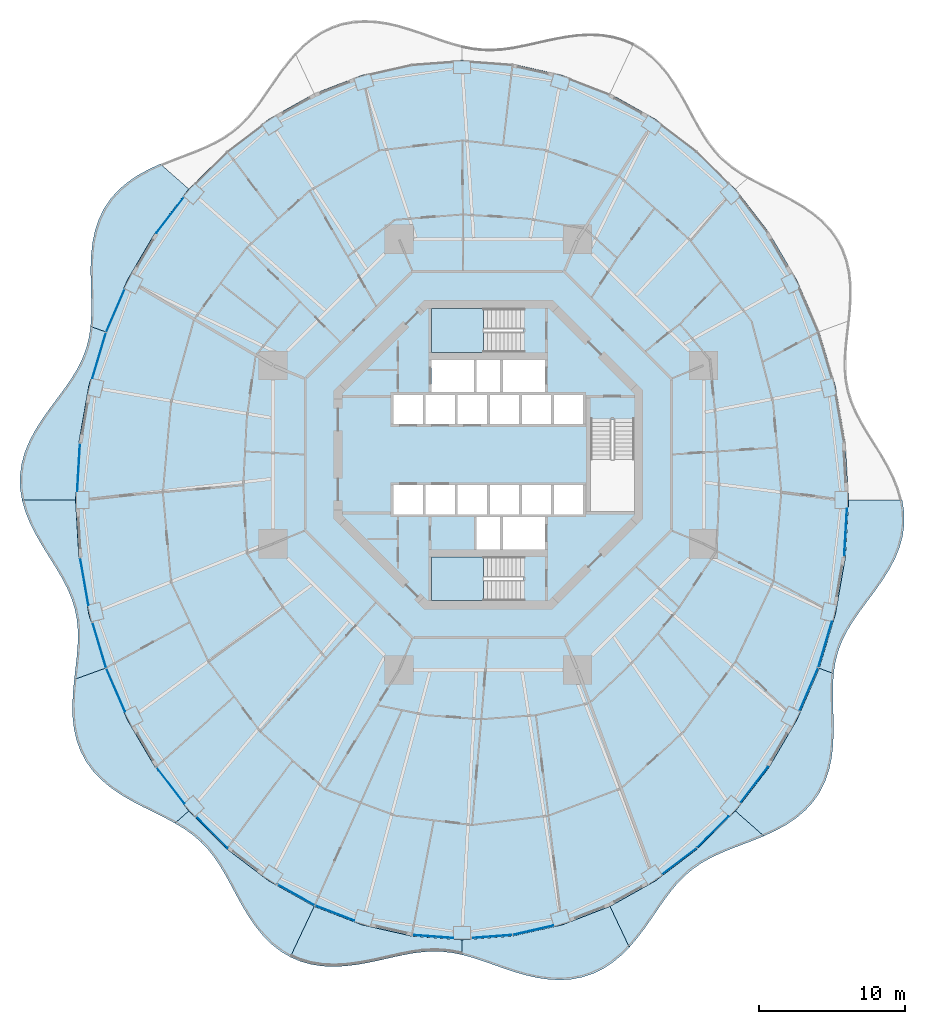
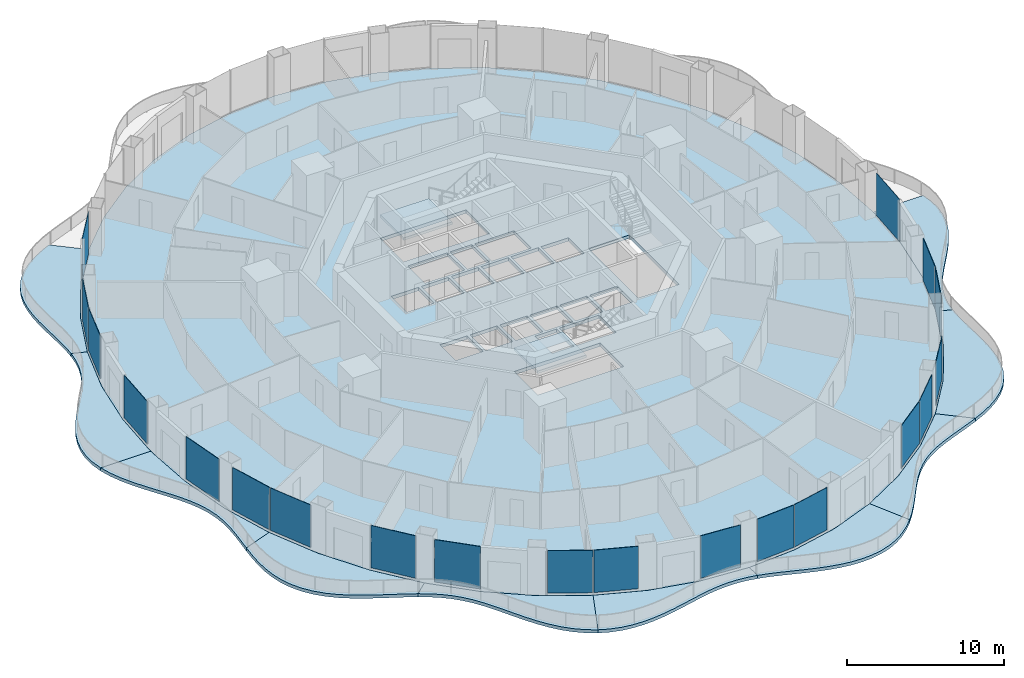
# One storey, part 9 of 19: 20 plates, 13 slabs, 22 elements without a shape of their own.
"""IFC4 building model written with IfcOpenShell, lengths in metres."""

from ifc_helpers import new_model, si_unit, direction, frame, origin, origin_2d, place, context, subcontext, project, spatial, polyline, rectangle, outline, extrude, material, layer, layer_set, type_object, element, aggregate, save


model = new_model("IFC4")

# Units and contexts
model_context = context("Model", 3, precision=1e-05, world=origin(), true_north=direction((0.0, 1.0)))
body_context = subcontext(model_context, "Body", "Model", "MODEL_VIEW")
ifc_project = project(units=[si_unit("LENGTHUNIT", "METRE"), si_unit("AREAUNIT", "SQUARE_METRE"), si_unit("VOLUMEUNIT", "CUBIC_METRE"), si_unit("PLANEANGLEUNIT", "RADIAN"), si_unit("MASSUNIT", "GRAM", prefix="KILO")], contexts=[model_context])

# Site, building, storey
site_placement = place(None, origin())
site = spatial("IfcSite", under=ifc_project, at=site_placement, CompositionType="ELEMENT")
building_placement = place(site_placement, origin())
building = spatial("IfcBuilding", under=site, at=building_placement, Name="Nagisa Residences", CompositionType="ELEMENT")
storey_placement = place(building_placement, frame((0.0, 0.0, 127.0)))
storey = spatial("IfcBuildingStorey", under=building, at=storey_placement, Name="L31", CompositionType="ELEMENT", Elevation=127.0)

# Slabs
ifc_material_1 = material(Name="Concrete C40/50", Category="concrete")
ifc_layer_1 = layer(ifc_material_1, 0.25)
ifc_layer_set_1 = layer_set([ifc_layer_1], Name="BALCONY SLAB 250")
slab_type_1 = type_object("IfcSlabType", Name="BALCONY SLAB 250", PredefinedType="FLOOR", material=ifc_layer_set_1)
slab_1_placement = place(storey_placement, frame((0.0, 0.0, -0.25)))
element("IfcSlab", 1, at=slab_1_placement, inside=storey, type_object=slab_type_1, Name="slab:L31:bal06", PredefinedType="FLOOR", context=body_context, shape_type="SweptSolid", body=[
    extrude(outline(polyline([(-22.51513671875, 19.948974609375), (-23.29833984375, 19.5888671875), (-24.04736328125, 19.179443359375), (-24.743896484375, 18.710693359375), (-25.37109375, 18.177001953125), (-25.91552734375, 17.576416015625), (-26.368408203125, 16.91064453125), (-26.724853515625, 16.18603515625), (-26.98681640625, 15.41064453125), (-27.160400390625, 14.59619140625), (-27.2578125, 13.7548828125), (-27.294921875, 12.89990234375), (-27.291259765625, 12.043701171875), (-27.268310546875, 11.197509765625), (-27.248779296875, 10.3701171875), (-27.25341796875, 9.568603515625), (-27.301513671875, 8.79638671875), (-26.315185546875, 8.4375), (-24.780029296875, 11.979736328125), (-22.8515625, 15.263916015625), (-20.56298828125, 18.2333984375), (-22.51513671875, 19.948974609375)])), origin(), (0.0, 0.0, 1.0), 0.25),
])
slab_2_placement = place(storey_placement, frame((0.0, 0.0, -0.25)))
element("IfcSlab", 2, at=slab_2_placement, inside=storey, type_object=slab_type_1, Name="slab:L31:bal07", PredefinedType="FLOOR", context=body_context, shape_type="SweptSolid", body=[
    extrude(outline(polyline([(-27.301513671875, 8.79638671875), (-27.4130859375, 8.031494140625), (-27.598876953125, 7.29638671875), (-27.864501953125, 6.58642578125), (-28.208251953125, 5.89501953125), (-28.62255859375, 5.213623046875), (-29.093017578125, 4.53369140625), (-29.599853515625, 3.84716796875), (-30.1201171875, 3.14697265625), (-30.6279296875, 2.427734375), (-31.097412109375, 1.6865234375), (-31.50341796875, 0.922607421875), (-31.824462890625, 0.137451171875), (-32.04345703125, -0.6650390625), (-32.149169921875, -1.479248046875), (-32.136962890625, -2.299072265625), (-32.009521484375, -3.11767578125), (-28.3349609375, -3.11767578125), (-28.10791015625, 0.823486328125), (-27.430908203125, 4.697265625), (-26.315185546875, 8.4375), (-27.301513671875, 8.79638671875)])), origin(), (0.0, 0.0, 1.0), 0.25),
])
slab_3_placement = place(storey_placement, frame((0.0, 0.0, -0.25)))
element("IfcSlab", 3, at=slab_3_placement, inside=storey, type_object=slab_type_1, Name="slab:L31:bal08", PredefinedType="FLOOR", context=body_context, shape_type="SweptSolid", body=[
    extrude(outline(polyline([(-32.009521484375, -3.11767578125), (-31.775634765625, -3.928466796875), (-31.451171875, -4.72607421875), (-31.056396484375, -5.5068359375), (-30.61572265625, -6.268798828125), (-30.155029296875, -7.012451171875), (-29.700927734375, -7.74072265625), (-29.27734375, -8.4580078125), (-28.906005859375, -9.1708984375), (-28.602783203125, -9.886474609375), (-28.3779296875, -10.6123046875), (-28.235107421875, -11.35498046875), (-28.1708984375, -12.120361328125), (-28.175537109375, -12.912109375), (-28.233154296875, -13.73095703125), (-28.323486328125, -14.5751953125), (-28.422607421875, -15.43994140625), (-26.315185546875, -14.6728515625), (-27.430908203125, -10.9326171875), (-28.10791015625, -7.058837890625), (-28.3349609375, -3.11767578125), (-32.009521484375, -3.11767578125)])), origin(), (0.0, 0.0, 1.0), 0.25),
])
slab_4_placement = place(storey_placement, frame((0.0, 0.0, -0.25)))
element("IfcSlab", 4, at=slab_4_placement, inside=storey, type_object=slab_type_1, Name="slab:L31:bal09", PredefinedType="FLOOR", context=body_context, shape_type="SweptSolid", body=[
    extrude(outline(polyline([(-28.422607421875, -15.43994140625), (-28.50390625, -16.29052734375), (-28.547607421875, -17.144287109375), (-28.532958984375, -17.990478515625), (-28.442138671875, -18.81787109375), (-28.26220703125, -19.614990234375), (-27.984619140625, -20.37158203125), (-27.606689453125, -21.078857421875), (-27.13134765625, -21.73046875), (-26.566650390625, -22.32373046875), (-25.92578125, -22.85888671875), (-25.225341796875, -23.34033203125), (-24.484619140625, -23.775390625), (-23.723876953125, -24.175048828125), (-22.962890625, -24.552734375), (-22.22021484375, -24.92333984375), (-21.51171875, -25.302490234375), (-20.56298828125, -24.46875), (-22.8515625, -21.499267578125), (-24.780029296875, -18.215087890625), (-26.315185546875, -14.6728515625), (-28.422607421875, -15.43994140625)])), origin(), (0.0, 0.0, 1.0), 0.25),
])
slab_5_placement = place(storey_placement, frame((0.0, 0.0, -0.25)))
element("IfcSlab", 5, at=slab_5_placement, inside=storey, type_object=slab_type_1, Name="slab:L31:bal10", PredefinedType="FLOOR", context=body_context, shape_type="SweptSolid", body=[
    extrude(outline(polyline([(-21.51171875, -25.302490234375), (-20.878662109375, -25.685302734375), (-20.29345703125, -26.101318359375), (-19.75830078125, -26.5595703125), (-19.27197265625, -27.066162109375), (-18.828369140625, -27.6240234375), (-18.4189453125, -28.231689453125), (-18.0322265625, -28.88427734375), (-17.655517578125, -29.572509765625), (-17.27490234375, -30.283935546875), (-16.876708984375, -31.002685546875), (-16.44873046875, -31.71142578125), (-15.980224609375, -32.39208984375), (-15.463623046875, -33.026123046875), (-14.894287109375, -33.596923828125), (-14.2705078125, -34.08984375), (-13.594482421875, -34.493896484375), (-11.95458984375, -31.01416015625), (-15.0673828125, -29.267333984375), (-17.953369140625, -27.072998046875), (-20.56298828125, -24.46875), (-21.51171875, -25.302490234375)])), origin(), (0.0, 0.0, 1.0), 0.25),
])
slab_6_placement = place(storey_placement, frame((0.0, 0.0, -0.25)))
element("IfcSlab", 6, at=slab_6_placement, inside=storey, type_object=slab_type_1, Name="slab:L31:bal11", PredefinedType="FLOOR", context=body_context, shape_type="SweptSolid", body=[
    extrude(outline(polyline([(-13.594482421875, -34.493896484375), (-12.89794921875, -34.792236328125), (-12.16357421875, -34.99951171875), (-11.39990234375, -35.1171875), (-10.615966796875, -35.15234375), (-9.821044921875, -35.1142578125), (-9.0244140625, -35.01708984375), (-8.23388671875, -34.876708984375), (-7.4560546875, -34.711181640625), (-6.695556640625, -34.538330078125), (-5.954345703125, -34.37646484375), (-5.233154296875, -34.2421875), (-4.529541015625, -34.149169921875), (-3.83984375, -34.10791015625), (-3.1591796875, -34.125), (-2.481201171875, -34.20263671875), (-1.800048828125, -34.33837890625), (-1.800048828125, -33.312744140625), (-5.263427734375, -33.054443359375), (-8.667724609375, -32.283935546875), (-11.95458984375, -31.01416015625), (-13.594482421875, -34.493896484375)])), origin(), (0.0, 0.0, 1.0), 0.25),
])
slab_7_placement = place(storey_placement, frame((0.0, 0.0, -0.25)))
element("IfcSlab", 7, at=slab_7_placement, inside=storey, type_object=slab_type_1, Name="slab:L31:bal12", PredefinedType="FLOOR", context=body_context, shape_type="SweptSolid", body=[
    extrude(outline(polyline([(-1.800048828125, -34.33837890625), (-1.109619140625, -34.52490234375), (-0.405517578125, -34.751953125), (0.315673828125, -35.00439453125), (1.0556640625, -35.26611328125), (1.8134765625, -35.51806640625), (2.586181640625, -35.741455078125), (3.36962890625, -35.918212890625), (4.15673828125, -36.03173828125), (4.93994140625, -36.068359375), (5.710693359375, -36.017333984375), (6.460693359375, -35.872802734375), (7.18212890625, -35.63232421875), (7.868408203125, -35.298828125), (8.514404296875, -34.87841796875), (9.11767578125, -34.3818359375), (9.67822265625, -33.822509765625), (8.3544921875, -31.01416015625), (5.06787109375, -32.283935546875), (1.66357421875, -33.054443359375), (-1.800048828125, -33.312744140625), (-1.800048828125, -34.33837890625)])), origin(), (0.0, 0.0, 1.0), 0.25),
])
slab_8_placement = place(storey_placement, frame((0.0, 0.0, -0.25)))
element("IfcSlab", 8, at=slab_8_placement, inside=storey, type_object=slab_type_1, Name="slab:L31:bal13", PredefinedType="FLOOR", context=body_context, shape_type="SweptSolid", body=[
    extrude(outline(polyline([(9.67822265625, -33.822509765625), (10.217529296875, -33.192626953125), (10.71923828125, -32.531494140625), (11.1923828125, -31.8583984375), (11.647216796875, -31.192138671875), (12.095703125, -30.549072265625), (12.550537109375, -29.943115234375), (13.0234375, -29.38427734375), (13.525390625, -28.878662109375), (14.064697265625, -28.427978515625), (14.647216796875, -28.029541015625), (15.275390625, -27.6767578125), (15.947265625, -27.35986328125), (16.65771484375, -27.066650390625), (17.397705078125, -26.78271484375), (18.155029296875, -26.493408203125), (18.915283203125, -26.184326171875), (16.963134765625, -24.46875), (14.353515625, -27.072998046875), (11.467529296875, -29.267333984375), (8.3544921875, -31.01416015625), (9.67822265625, -33.822509765625)])), origin(), (0.0, 0.0, 1.0), 0.25),
])
slab_9_placement = place(storey_placement, frame((0.0, 0.0, -0.25)))
element("IfcSlab", 9, at=slab_9_placement, inside=storey, type_object=slab_type_1, Name="slab:L31:bal14", PredefinedType="FLOOR", context=body_context, shape_type="SweptSolid", body=[
    extrude(outline(polyline([(18.915283203125, -26.184326171875), (19.6982421875, -25.82421875), (20.447265625, -25.414794921875), (21.143798828125, -24.946044921875), (21.77099609375, -24.412353515625), (22.315673828125, -23.811767578125), (22.768310546875, -23.146240234375), (23.125, -22.42138671875), (23.38671875, -21.64599609375), (23.560546875, -20.83154296875), (23.65771484375, -19.990478515625), (23.69482421875, -19.13525390625), (23.691162109375, -18.279052734375), (23.66845703125, -17.432861328125), (23.648681640625, -16.60546875), (23.6533203125, -15.803955078125), (23.701416015625, -15.031982421875), (22.715087890625, -14.6728515625), (21.179931640625, -18.215087890625), (19.251708984375, -21.499267578125), (16.963134765625, -24.46875), (18.915283203125, -26.184326171875)])), origin(), (0.0, 0.0, 1.0), 0.25),
])
slab_10_placement = place(storey_placement, frame((0.0, 0.0, -0.25)))
element("IfcSlab", 10, at=slab_10_placement, inside=storey, type_object=slab_type_1, Name="slab:L31:bal15", PredefinedType="FLOOR", context=body_context, shape_type="SweptSolid", body=[
    extrude(outline(polyline([(23.701416015625, -15.031982421875), (23.81298828125, -14.266845703125), (23.9990234375, -13.53173828125), (24.264404296875, -12.82177734375), (24.6083984375, -12.13037109375), (25.0224609375, -11.448974609375), (25.492919921875, -10.76904296875), (25.999755859375, -10.08251953125), (26.52001953125, -9.38232421875), (27.028076171875, -8.6630859375), (27.497314453125, -7.921875), (27.903564453125, -7.157958984375), (28.224609375, -6.372802734375), (28.443359375, -5.5703125), (28.549072265625, -4.756103515625), (28.537109375, -3.936279296875), (28.409423828125, -3.11767578125), (24.735107421875, -3.11767578125), (24.508056640625, -7.058837890625), (23.830810546875, -10.9326171875), (22.715087890625, -14.6728515625), (23.701416015625, -15.031982421875)])), origin(), (0.0, 0.0, 1.0), 0.25),
])

# Curtain wall, plate
ifc_material_2 = material(Name="Concrete-coloured aluminium curtain wall system", Category="concrete")
ifc_layer_2 = layer(ifc_material_2, 0.159912109375)
ifc_layer_set_2 = layer_set([ifc_layer_2], Name="CW1 CURTAIN WALL")
curtain_wall_type = type_object("IfcCurtainWallType", Name="CW1 CURTAIN WALL", PredefinedType="NOTDEFINED", material=ifc_layer_set_2)
curtain_wall_1_placement = place(storey_placement, origin())
curtain_wall_1 = element("IfcCurtainWall", 11, at=curtain_wall_1_placement, inside=storey, type_object=curtain_wall_type, Name="cw:CW1:L31:18", PredefinedType="NOTDEFINED")
ifc_material_3 = material(Name="Clear laminated glass", Category="glass")
ifc_layer_3 = layer(ifc_material_3, 0.028076171875)
ifc_layer_set_3 = layer_set([ifc_layer_3], Name="CW1 GLASS PANEL")
plate_type = type_object("IfcPlateType", Name="CW1 GLASS PANEL", PredefinedType="CURTAIN_PANEL", material=ifc_layer_set_3)
plate_1_placement = place(storey_placement, frame((-21.845458984375, 16.4384765625, 0.14990234375), z_axis=(0.0, 0.0, 1.0), x_axis=(-0.610429828235, -0.792070340816, 0.0)))
plate_1 = element("IfcPlate", 12, at=plate_1_placement, type_object=plate_type, Name="CW1 panel", PredefinedType="CURTAIN_PANEL", context=body_context, shape_type="SweptSolid", body=[
    extrude(rectangle(XDim=3.089111328125, YDim=0.028076171875, at=origin_2d()), origin(), (0.0, 0.0, 1.0), 3.2900390625),
])
aggregate(curtain_wall_1, [plate_1])

curtain_wall_2_placement = place(storey_placement, origin())
curtain_wall_2 = element("IfcCurtainWall", 13, at=curtain_wall_2_placement, inside=storey, type_object=curtain_wall_type, Name="cw:CW1:L31:20", PredefinedType="NOTDEFINED")
plate_2_placement = place(storey_placement, frame((-25.60546875, 9.8740234375, 0.14990234375), z_axis=(0.0, 0.0, 1.0), x_axis=(-0.397635934147, -0.917543276295, 0.0)))
plate_2 = element("IfcPlate", 14, at=plate_2_placement, type_object=plate_type, Name="CW1 panel", PredefinedType="CURTAIN_PANEL", context=body_context, shape_type="SweptSolid", body=[
    extrude(rectangle(XDim=3.20068359375, YDim=0.028076171875, at=origin_2d()), origin(), (0.0, 0.0, 1.0), 3.2900390625),
])
aggregate(curtain_wall_2, [plate_2])

curtain_wall_3_placement = place(storey_placement, origin())
curtain_wall_3 = element("IfcCurtainWall", 15, at=curtain_wall_3_placement, inside=storey, type_object=curtain_wall_type, Name="cw:CW1:L31:21", PredefinedType="NOTDEFINED")
plate_3_placement = place(storey_placement, frame((-26.71923828125, 6.80322265625, 0.14990234375), z_axis=(0.0, 0.0, 1.0), x_axis=(-0.285860274038, -0.958271310082, 0.0)))
plate_3 = element("IfcPlate", 16, at=plate_3_placement, type_object=plate_type, Name="CW1 panel", PredefinedType="CURTAIN_PANEL", context=body_context, shape_type="SweptSolid", body=[
    extrude(rectangle(XDim=3.242919921875, YDim=0.028076171875, at=origin_2d()), origin(), (0.0, 0.0, 1.0), 3.2900390625),
])
aggregate(curtain_wall_3, [plate_3])

curtain_wall_4_placement = place(storey_placement, origin())
curtain_wall_4 = element("IfcCurtainWall", 17, at=curtain_wall_4_placement, inside=storey, type_object=curtain_wall_type, Name="cw:CW1:L31:23", PredefinedType="NOTDEFINED")
plate_4_placement = place(storey_placement, frame((-28.126220703125, -0.882080078125, 0.14990234375), z_axis=(0.0, 0.0, 1.0), x_axis=(-0.057503492216, -0.998345305184, 0.0)))
plate_4 = element("IfcPlate", 18, at=plate_4_placement, type_object=plate_type, Name="CW1 panel", PredefinedType="CURTAIN_PANEL", context=body_context, shape_type="SweptSolid", body=[
    extrude(rectangle(XDim=3.287841796875, YDim=0.028076171875, at=origin_2d()), origin(), (0.0, 0.0, 1.0), 3.2900390625),
])
aggregate(curtain_wall_4, [plate_4])

curtain_wall_5_placement = place(storey_placement, origin())
curtain_wall_5 = element("IfcCurtainWall", 19, at=curtain_wall_5_placement, inside=storey, type_object=curtain_wall_type, Name="cw:CW1:L31:25", PredefinedType="NOTDEFINED")
plate_5_placement = place(storey_placement, frame((-27.737060546875, -8.716064453125, 0.14990234375), z_axis=(0.0, 0.0, 1.0), x_axis=(0.172190868898, -0.985063604377, 0.0)))
plate_5 = element("IfcPlate", 20, at=plate_5_placement, type_object=plate_type, Name="CW1 panel", PredefinedType="CURTAIN_PANEL", context=body_context, shape_type="SweptSolid", body=[
    extrude(rectangle(XDim=3.2724609375, YDim=0.028076171875, at=origin_2d()), origin(), (0.0, 0.0, 1.0), 3.2900390625),
])
aggregate(curtain_wall_5, [plate_5])

curtain_wall_6_placement = place(storey_placement, origin())
curtain_wall_6 = element("IfcCurtainWall", 21, at=curtain_wall_6_placement, inside=storey, type_object=curtain_wall_type, Name="cw:CW1:L31:26", PredefinedType="NOTDEFINED")
plate_6_placement = place(storey_placement, frame((-26.701904296875, -13.09619140625, 0.14990234375), z_axis=(0.0, 0.0, 1.0), x_axis=(0.285860274038, -0.958271310082, 0.0)))
plate_6 = element("IfcPlate", 22, at=plate_6_placement, type_object=plate_type, Name="CW1 panel", PredefinedType="CURTAIN_PANEL", context=body_context, shape_type="SweptSolid", body=[
    extrude(rectangle(XDim=3.242919921875, YDim=0.028076171875, at=origin_2d()), origin(), (0.0, 0.0, 1.0), 3.2900390625),
])
aggregate(curtain_wall_6, [plate_6])

curtain_wall_7_placement = place(storey_placement, origin())
curtain_wall_7 = element("IfcCurtainWall", 23, at=curtain_wall_7_placement, inside=storey, type_object=curtain_wall_type, Name="cw:CW1:L31:27", PredefinedType="NOTDEFINED")
plate_7_placement = place(storey_placement, frame((-25.58154296875, -16.16455078125, 0.14990234375), z_axis=(0.0, 0.0, 1.0), x_axis=(0.397635934147, -0.917543276295, 0.0)))
plate_7 = element("IfcPlate", 24, at=plate_7_placement, type_object=plate_type, Name="CW1 panel", PredefinedType="CURTAIN_PANEL", context=body_context, shape_type="SweptSolid", body=[
    extrude(rectangle(XDim=3.20068359375, YDim=0.028076171875, at=origin_2d()), origin(), (0.0, 0.0, 1.0), 3.2900390625),
])
aggregate(curtain_wall_7, [plate_7])

curtain_wall_8_placement = place(storey_placement, origin())
curtain_wall_8 = element("IfcCurtainWall", 25, at=curtain_wall_8_placement, inside=storey, type_object=curtain_wall_type, Name="cw:CW1:L31:29", PredefinedType="NOTDEFINED")
plate_8_placement = place(storey_placement, frame((-21.808837890625, -22.721435546875, 0.14990234375), z_axis=(0.0, 0.0, 1.0), x_axis=(0.610429828235, -0.792070340816, 0.0)))
plate_8 = element("IfcPlate", 26, at=plate_8_placement, type_object=plate_type, Name="CW1 panel", PredefinedType="CURTAIN_PANEL", context=body_context, shape_type="SweptSolid", body=[
    extrude(rectangle(XDim=3.089111328125, YDim=0.028076171875, at=origin_2d()), origin(), (0.0, 0.0, 1.0), 3.2900390625),
])
aggregate(curtain_wall_8, [plate_8])

curtain_wall_9_placement = place(storey_placement, origin())
curtain_wall_9 = element("IfcCurtainWall", 27, at=curtain_wall_9_placement, inside=storey, type_object=curtain_wall_type, Name="cw:CW1:L31:30", PredefinedType="NOTDEFINED")
plate_9_placement = place(storey_placement, frame((-18.96826171875, -25.947265625, 0.14990234375), z_axis=(0.0, 0.0, 1.0), x_axis=(0.707835924016, -0.706376885714, 0.0)))
plate_9 = element("IfcPlate", 28, at=plate_9_placement, type_object=plate_type, Name="CW1 panel", PredefinedType="CURTAIN_PANEL", context=body_context, shape_type="SweptSolid", body=[
    extrude(rectangle(XDim=3.026611328125, YDim=0.028076171875, at=origin_2d()), origin(), (0.0, 0.0, 1.0), 3.2900390625),
])
aggregate(curtain_wall_9, [plate_9])

curtain_wall_10_placement = place(storey_placement, origin())
curtain_wall_10 = element("IfcCurtainWall", 29, at=curtain_wall_10_placement, inside=storey, type_object=curtain_wall_type, Name="cw:CW1:L31:32", PredefinedType="NOTDEFINED")
plate_10_placement = place(storey_placement, frame((-13.18408203125, -30.232421875, 0.14990234375), z_axis=(0.0, 0.0, 1.0), x_axis=(0.872072377523, -0.489376918501, 0.0)))
plate_10 = element("IfcPlate", 30, at=plate_10_placement, type_object=plate_type, Name="CW1 panel", PredefinedType="CURTAIN_PANEL", context=body_context, shape_type="SweptSolid", body=[
    extrude(rectangle(XDim=2.90966796875, YDim=0.028076171875, at=origin_2d()), origin(), (0.0, 0.0, 1.0), 3.2900390625),
])
aggregate(curtain_wall_10, [plate_10])

curtain_wall_11_placement = place(storey_placement, origin())
curtain_wall_11 = element("IfcCurtainWall", 31, at=curtain_wall_11_placement, inside=storey, type_object=curtain_wall_type, Name="cw:CW1:L31:33", PredefinedType="NOTDEFINED")
plate_11_placement = place(storey_placement, frame((-10.5341796875, -31.47705078125, 0.14990234375), z_axis=(0.0, 0.0, 1.0), x_axis=(0.932825759707, -0.360327770268, 0.0)))
plate_11 = element("IfcPlate", 32, at=plate_11_placement, type_object=plate_type, Name="CW1 panel", PredefinedType="CURTAIN_PANEL", context=body_context, shape_type="SweptSolid", body=[
    extrude(rectangle(XDim=2.863525390625, YDim=0.028076171875, at=origin_2d()), origin(), (0.0, 0.0, 1.0), 3.2900390625),
])
aggregate(curtain_wall_11, [plate_11])

curtain_wall_12_placement = place(storey_placement, origin())
curtain_wall_12 = element("IfcCurtainWall", 33, at=curtain_wall_12_placement, inside=storey, type_object=curtain_wall_type, Name="cw:CW1:L31:35", PredefinedType="NOTDEFINED")
plate_12_placement = place(storey_placement, frame((-3.795166015625, -33.083740234375, 0.14990234375), z_axis=(0.0, 0.0, 1.0), x_axis=(0.997230168512, -0.074377355493, 0.0)))
plate_12 = element("IfcPlate", 34, at=plate_12_placement, type_object=plate_type, Name="CW1 panel", PredefinedType="CURTAIN_PANEL", context=body_context, shape_type="SweptSolid", body=[
    extrude(rectangle(XDim=2.813232421875, YDim=0.028076171875, at=origin_2d()), origin(), (0.0, 0.0, 1.0), 3.2900390625),
])
aggregate(curtain_wall_12, [plate_12])

curtain_wall_13_placement = place(storey_placement, origin())
curtain_wall_13 = element("IfcCurtainWall", 35, at=curtain_wall_13_placement, inside=storey, type_object=curtain_wall_type, Name="cw:CW1:L31:36", PredefinedType="NOTDEFINED")
plate_13_placement = place(storey_placement, frame((0.2548828125, -33.0791015625, 0.14990234375), z_axis=(0.0, 0.0, 1.0), x_axis=(0.997230168512, 0.074377355493, 0.0)))
plate_13 = element("IfcPlate", 36, at=plate_13_placement, type_object=plate_type, Name="CW1 panel", PredefinedType="CURTAIN_PANEL", context=body_context, shape_type="SweptSolid", body=[
    extrude(rectangle(XDim=2.813232421875, YDim=0.028076171875, at=origin_2d()), origin(), (0.0, 0.0, 1.0), 3.2900390625),
])
aggregate(curtain_wall_13, [plate_13])

curtain_wall_14_placement = place(storey_placement, origin())
curtain_wall_14 = element("IfcCurtainWall", 37, at=curtain_wall_14_placement, inside=storey, type_object=curtain_wall_type, Name="cw:CW1:L31:37", PredefinedType="NOTDEFINED")
plate_14_placement = place(storey_placement, frame((3.084716796875, -32.650634765625, 0.14990234375), z_axis=(0.0, 0.0, 1.0), x_axis=(0.975327274089, 0.2207639201, 0.0)))
plate_14 = element("IfcPlate", 38, at=plate_14_placement, type_object=plate_type, Name="CW1 panel", PredefinedType="CURTAIN_PANEL", context=body_context, shape_type="SweptSolid", body=[
    extrude(rectangle(XDim=2.830322265625, YDim=0.028076171875, at=origin_2d()), origin(), (0.0, 0.0, 1.0), 3.2900390625),
])
aggregate(curtain_wall_14, [plate_14])

curtain_wall_15_placement = place(storey_placement, origin())
curtain_wall_15 = element("IfcCurtainWall", 39, at=curtain_wall_15_placement, inside=storey, type_object=curtain_wall_type, Name="cw:CW1:L31:40", PredefinedType="NOTDEFINED")
plate_15_placement = place(storey_placement, frame((13.124755859375, -27.90673828125, 0.14990234375), z_axis=(0.0, 0.0, 1.0), x_axis=(0.79603132756, 0.605255421737, 0.0)))
plate_15 = element("IfcPlate", 40, at=plate_15_placement, type_object=plate_type, Name="CW1 panel", PredefinedType="CURTAIN_PANEL", context=body_context, shape_type="SweptSolid", body=[
    extrude(rectangle(XDim=2.965576171875, YDim=0.028076171875, at=origin_2d()), origin(), (0.0, 0.0, 1.0), 3.2900390625),
])
aggregate(curtain_wall_15, [plate_15])

curtain_wall_16_placement = place(storey_placement, origin())
curtain_wall_16 = element("IfcCurtainWall", 41, at=curtain_wall_16_placement, inside=storey, type_object=curtain_wall_type, Name="cw:CW1:L31:41", PredefinedType="NOTDEFINED")
plate_16_placement = place(storey_placement, frame((15.41064453125, -25.905029296875, 0.14990234375), z_axis=(0.0, 0.0, 1.0), x_axis=(0.707835924016, 0.706376885714, 0.0)))
plate_16 = element("IfcPlate", 42, at=plate_16_placement, type_object=plate_type, Name="CW1 panel", PredefinedType="CURTAIN_PANEL", context=body_context, shape_type="SweptSolid", body=[
    extrude(rectangle(XDim=3.026611328125, YDim=0.028076171875, at=origin_2d()), origin(), (0.0, 0.0, 1.0), 3.2900390625),
])
aggregate(curtain_wall_16, [plate_16])

curtain_wall_17_placement = place(storey_placement, origin())
curtain_wall_17 = element("IfcCurtainWall", 43, at=curtain_wall_17_placement, inside=storey, type_object=curtain_wall_type, Name="cw:CW1:L31:42", PredefinedType="NOTDEFINED")
plate_17_placement = place(storey_placement, frame((18.245361328125, -22.673828125, 0.14990234375), z_axis=(0.0, 0.0, 1.0), x_axis=(0.610429828235, 0.792070340816, 0.0)))
plate_17 = element("IfcPlate", 44, at=plate_17_placement, type_object=plate_type, Name="CW1 panel", PredefinedType="CURTAIN_PANEL", context=body_context, shape_type="SweptSolid", body=[
    extrude(rectangle(XDim=3.089111328125, YDim=0.028076171875, at=origin_2d()), origin(), (0.0, 0.0, 1.0), 3.2900390625),
])
aggregate(curtain_wall_17, [plate_17])

curtain_wall_18_placement = place(storey_placement, origin())
curtain_wall_18 = element("IfcCurtainWall", 45, at=curtain_wall_18_placement, inside=storey, type_object=curtain_wall_type, Name="cw:CW1:L31:44", PredefinedType="NOTDEFINED")
plate_18_placement = place(storey_placement, frame((22.00537109375, -16.109375, 0.14990234375), z_axis=(0.0, 0.0, 1.0), x_axis=(0.397635934147, 0.917543276295, 0.0)))
plate_18 = element("IfcPlate", 46, at=plate_18_placement, type_object=plate_type, Name="CW1 panel", PredefinedType="CURTAIN_PANEL", context=body_context, shape_type="SweptSolid", body=[
    extrude(rectangle(XDim=3.20068359375, YDim=0.028076171875, at=origin_2d()), origin(), (0.0, 0.0, 1.0), 3.2900390625),
])
aggregate(curtain_wall_18, [plate_18])

curtain_wall_19_placement = place(storey_placement, origin())
curtain_wall_19 = element("IfcCurtainWall", 47, at=curtain_wall_19_placement, inside=storey, type_object=curtain_wall_type, Name="cw:CW1:L31:45", PredefinedType="NOTDEFINED")
plate_19_placement = place(storey_placement, frame((23.119140625, -13.03857421875, 0.14990234375), z_axis=(0.0, 0.0, 1.0), x_axis=(0.285860274038, 0.958271310082, 0.0)))
plate_19 = element("IfcPlate", 48, at=plate_19_placement, type_object=plate_type, Name="CW1 panel", PredefinedType="CURTAIN_PANEL", context=body_context, shape_type="SweptSolid", body=[
    extrude(rectangle(XDim=3.242919921875, YDim=0.028076171875, at=origin_2d()), origin(), (0.0, 0.0, 1.0), 3.2900390625),
])
aggregate(curtain_wall_19, [plate_19])

curtain_wall_20_placement = place(storey_placement, origin())
curtain_wall_20 = element("IfcCurtainWall", 49, at=curtain_wall_20_placement, inside=storey, type_object=curtain_wall_type, Name="cw:CW1:L31:47", PredefinedType="NOTDEFINED")
plate_20_placement = place(storey_placement, frame((24.526123046875, -5.353271484375, 0.14990234375), z_axis=(0.0, 0.0, 1.0), x_axis=(0.057503492216, 0.998345305184, 0.0)))
plate_20 = element("IfcPlate", 50, at=plate_20_placement, type_object=plate_type, Name="CW1 panel", PredefinedType="CURTAIN_PANEL", context=body_context, shape_type="SweptSolid", body=[
    extrude(rectangle(XDim=3.287841796875, YDim=0.028076171875, at=origin_2d()), origin(), (0.0, 0.0, 1.0), 3.2900390625),
])
aggregate(curtain_wall_20, [plate_20])

# Slab
ifc_material_4 = material(Name="Concrete C40", Category="concrete")
ifc_layer_4 = layer(ifc_material_4, 0.260009765625)
ifc_layer_set_4 = layer_set([ifc_layer_4], Name="Floor slab 260")
slab_type_2 = type_object("IfcSlabType", Name="Floor slab 260", PredefinedType="FLOOR", material=ifc_layer_set_4)
slab_11_placement = place(storey_placement, frame((0.0, 0.0, -0.260009765625)))
element("IfcSlab", 51, at=slab_11_placement, inside=storey, type_object=slab_type_2, Name="slab:L31:floor", PredefinedType="FLOOR", context=body_context, shape_type="SweptSolid", body=[
    extrude(outline(polyline([(24.735107421875, -3.11767578125), (24.508056640625, 0.823486328125), (23.830810546875, 4.697265625), (22.715087890625, 8.4375), (21.179931640625, 11.979736328125), (19.251708984375, 15.263916015625), (16.963134765625, 18.2333984375), (14.353515625, 20.837646484375), (11.467529296875, 23.031982421875), (8.3544921875, 24.77880859375), (5.06787109375, 26.04833984375), (1.66357421875, 26.819091796875), (-1.800048828125, 27.077392578125), (-5.263427734375, 26.819091796875), (-8.667724609375, 26.04833984375), (-11.95458984375, 24.77880859375), (-15.0673828125, 23.031982421875), (-17.953369140625, 20.837646484375), (-20.56298828125, 18.2333984375), (-22.8515625, 15.263916015625), (-24.780029296875, 11.979736328125), (-26.315185546875, 8.4375), (-27.430908203125, 4.697265625), (-28.10791015625, 0.823486328125), (-28.3349609375, -3.11767578125), (-28.10791015625, -7.058837890625), (-27.430908203125, -10.9326171875), (-26.315185546875, -14.6728515625), (-24.780029296875, -18.215087890625), (-22.8515625, -21.499267578125), (-20.56298828125, -24.46875), (-17.953369140625, -27.072998046875), (-15.0673828125, -29.267333984375), (-11.95458984375, -31.01416015625), (-8.667724609375, -32.283935546875), (-5.263427734375, -33.054443359375), (-1.800048828125, -33.312744140625), (1.66357421875, -33.054443359375), (5.06787109375, -32.283935546875), (8.3544921875, -31.01416015625), (11.467529296875, -29.267333984375), (14.353515625, -27.072998046875), (16.963134765625, -24.46875), (19.251708984375, -21.499267578125), (21.179931640625, -18.215087890625), (22.715087890625, -14.6728515625), (23.830810546875, -10.9326171875), (24.508056640625, -7.058837890625), (24.735107421875, -3.11767578125)]), holes=[polyline([(-4.5, 2.10009765625), (-4.5, 4.10009765625), (-6.5, 4.10009765625), (-6.5, 2.10009765625), (-4.5, 2.10009765625)]), polyline([(-2.300048828125, 2.10009765625), (-2.300048828125, 4.10009765625), (-4.300048828125, 4.10009765625), (-4.300048828125, 2.10009765625), (-2.300048828125, 2.10009765625)]), polyline([(-0.10009765625, 2.10009765625), (-0.10009765625, 4.10009765625), (-2.10009765625, 4.10009765625), (-2.10009765625, 2.10009765625), (-0.10009765625, 2.10009765625)]), polyline([(2.10009765625, 2.10009765625), (2.10009765625, 4.10009765625), (0.10009765625, 4.10009765625), (0.10009765625, 2.10009765625), (2.10009765625, 2.10009765625)]), polyline([(4.300048828125, 2.10009765625), (4.300048828125, 4.10009765625), (2.300048828125, 4.10009765625), (2.300048828125, 2.10009765625), (4.300048828125, 2.10009765625)]), polyline([(6.5, 2.10009765625), (6.5, 4.10009765625), (4.5, 4.10009765625), (4.5, 2.10009765625), (6.5, 2.10009765625)]), polyline([(-4.5, -4.10009765625), (-4.5, -2.10009765625), (-6.5, -2.10009765625), (-6.5, -4.10009765625), (-4.5, -4.10009765625)]), polyline([(-2.300048828125, -4.10009765625), (-2.300048828125, -2.10009765625), (-4.300048828125, -2.10009765625), (-4.300048828125, -4.10009765625), (-2.300048828125, -4.10009765625)]), polyline([(-0.10009765625, -4.10009765625), (-0.10009765625, -2.10009765625), (-2.10009765625, -2.10009765625), (-2.10009765625, -4.10009765625), (-0.10009765625, -4.10009765625)]), polyline([(2.10009765625, -4.10009765625), (2.10009765625, -2.10009765625), (0.10009765625, -2.10009765625), (0.10009765625, -4.10009765625), (2.10009765625, -4.10009765625)]), polyline([(4.300048828125, -4.10009765625), (4.300048828125, -2.10009765625), (2.300048828125, -2.10009765625), (2.300048828125, -4.10009765625), (4.300048828125, -4.10009765625)]), polyline([(6.5, -4.10009765625), (6.5, -2.10009765625), (4.5, -2.10009765625), (4.5, -4.10009765625), (6.5, -4.10009765625)]), polyline([(3.89990234375, 4.300048828125), (3.89990234375, 6.5), (1.0, 6.5), (1.0, 4.300048828125), (3.89990234375, 4.300048828125)]), polyline([(3.89990234375, -6.5), (3.89990234375, -4.300048828125), (1.0, -4.300048828125), (1.0, -6.5), (3.89990234375, -6.5)]), polyline([(-1.0, 4.300048828125), (-1.0, 6.5), (-3.89990234375, 6.5), (-3.89990234375, 4.300048828125), (-1.0, 4.300048828125)]), polyline([(0.800048828125, 4.300048828125), (0.800048828125, 6.5), (-0.800048828125, 6.5), (-0.800048828125, 4.300048828125), (0.800048828125, 4.300048828125)]), polyline([(0.800048828125, -6.5), (0.800048828125, -4.300048828125), (-0.800048828125, -4.300048828125), (-0.800048828125, -6.5), (0.800048828125, -6.5)]), polyline([(10.024658203125, -3.89990234375), (7.024658203125, -3.89990234375), (7.024658203125, 2.425048828125), (10.024658203125, 2.425048828125), (10.024658203125, -3.89990234375)]), polyline([(-3.89990234375, 7.024658203125), (-3.89990234375, 10.024658203125), (2.425048828125, 10.024658203125), (2.425048828125, 7.024658203125), (-3.89990234375, 7.024658203125)]), polyline([(-3.89990234375, -10.024658203125), (-3.89990234375, -7.024658203125), (2.425048828125, -7.024658203125), (2.425048828125, -10.024658203125), (-3.89990234375, -10.024658203125)])]), origin(), (0.0, 0.0, 1.0), 0.260009765625),
])

# Stair, slab
ifc_material_5 = material(Name="Concrete C60", Category="concrete")
stair_type = type_object("IfcStairType", Name="Exit stair", PredefinedType="HALF_TURN_STAIR", material=ifc_material_5)
stair_1_placement = place(storey_placement, origin())
stair_1 = element("IfcStair", 52, at=stair_1_placement, inside=storey, type_object=stair_type, Name="L31 Exit stair N", PredefinedType="HALF_TURN_STAIR")
ifc_material_6 = material(Name="Concrete C60", Category="concrete")
ifc_layer_5 = layer(ifc_material_6, 0.199951171875)
ifc_layer_set_5 = layer_set([ifc_layer_5], Name="Stair landing")
slab_type_3 = type_object("IfcSlabType", Name="Stair landing", PredefinedType="LANDING", material=ifc_layer_set_5)
slab_12_placement = place(storey_placement, frame((0.0, 0.0, 1.64990234375)))
slab_12 = element("IfcSlab", 53, at=slab_12_placement, type_object=slab_type_3, Name="ST-N landing 1", PredefinedType="LANDING", context=body_context, shape_type="SweptSolid", body=[
    extrude(outline(polyline([(-0.324951171875, 10.024658203125), (-3.89990234375, 10.024658203125), (-3.89990234375, 7.024658203125), (-0.324951171875, 7.024658203125), (-0.324951171875, 10.024658203125)])), origin(), (0.0, 0.0, 1.0), 0.2001953125),
])
aggregate(stair_1, [slab_12])

stair_2_placement = place(storey_placement, origin())
stair_2 = element("IfcStair", 54, at=stair_2_placement, inside=storey, type_object=stair_type, Name="L31 Exit stair S", PredefinedType="HALF_TURN_STAIR")
slab_13_placement = place(storey_placement, frame((0.0, 0.0, 1.64990234375)))
slab_13 = element("IfcSlab", 55, at=slab_13_placement, type_object=slab_type_3, Name="ST-S landing 1", PredefinedType="LANDING", context=body_context, shape_type="SweptSolid", body=[
    extrude(outline(polyline([(-0.324951171875, -7.024658203125), (-3.89990234375, -7.024658203125), (-3.89990234375, -10.024658203125), (-0.324951171875, -10.024658203125), (-0.324951171875, -7.024658203125)])), origin(), (0.0, 0.0, 1.0), 0.2001953125),
])
aggregate(stair_2, [slab_13])

save(model, "model.ifc")
